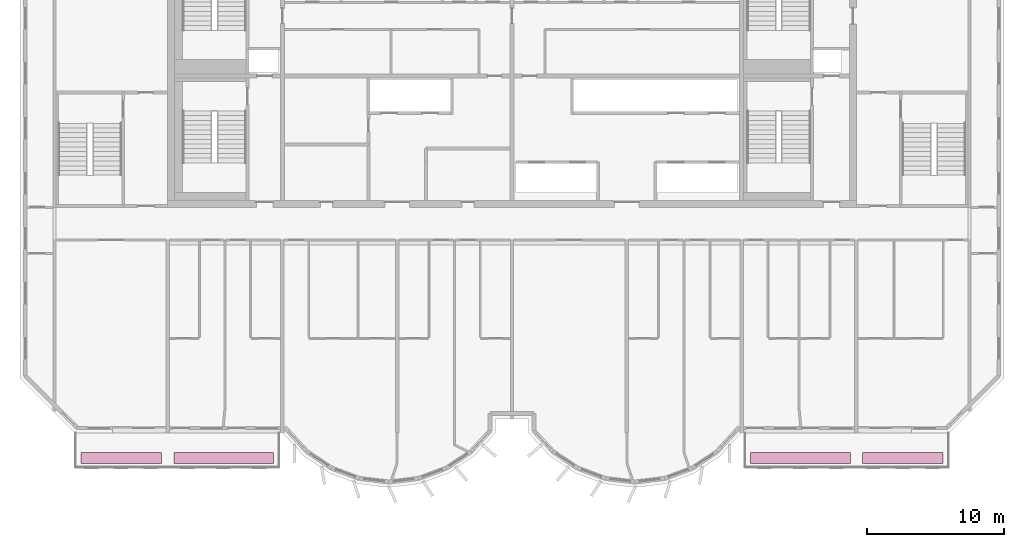
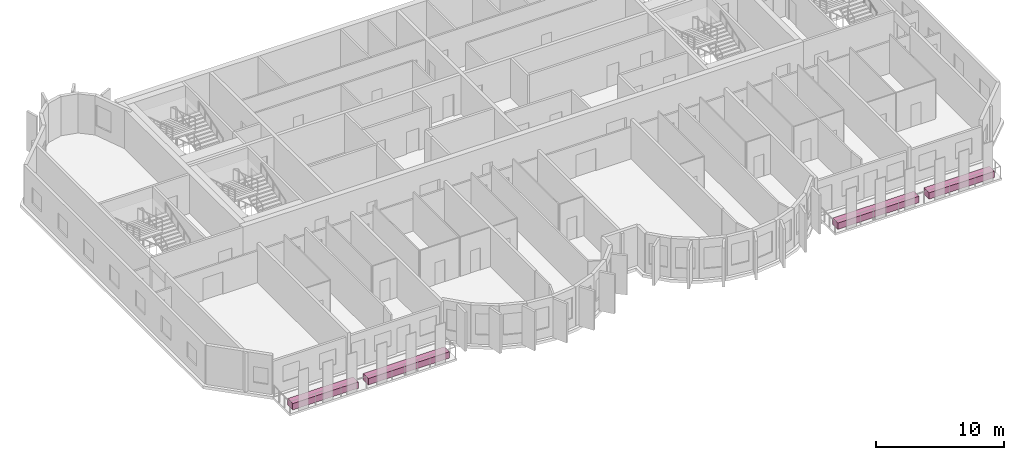
# One storey, part 12 of 12: 4 furniture elements.
"""IFC4 building model written with IfcOpenShell, lengths in metres."""

from ifc_helpers import new_model, si_unit, direction, frame, origin, origin_2d, place, context, subcontext, project, spatial, rectangle, extrude, source, transform, mapped, material, type_object, element, save


model = new_model("IFC4")

# Units and contexts
model_context = context("Model", 3, precision=1e-05, world=origin(), true_north=direction((0.0, 1.0)))
body_context = subcontext(model_context, "Body", "Model", "MODEL_VIEW")
ifc_project = project(units=[si_unit("LENGTHUNIT", "METRE"), si_unit("AREAUNIT", "SQUARE_METRE"), si_unit("VOLUMEUNIT", "CUBIC_METRE"), si_unit("PLANEANGLEUNIT", "RADIAN"), si_unit("MASSUNIT", "GRAM", prefix="KILO")], contexts=[model_context])

# Site, building, storey
site_placement = place(None, origin())
site = spatial("IfcSite", under=ifc_project, at=site_placement, CompositionType="ELEMENT")
building_placement = place(site_placement, origin())
building = spatial("IfcBuilding", under=site, at=building_placement, Name="Vanashikhar Sky Hotel", CompositionType="ELEMENT")
storey_placement = place(building_placement, frame((0.0, 0.0, 301.699951171875)))
storey = spatial("IfcBuildingStorey", under=building, at=storey_placement, Name="L72", CompositionType="ELEMENT", Elevation=301.699951171875)

# Furniture
ifc_material = material(Name="Planting soil and shrubs")
furniture_type = type_object("IfcFurnitureType", Name="Planter trough", AssemblyPlace="NOTDEFINED", PredefinedType="USERDEFINED", material=ifc_material)
shared_shape_1 = source(origin(), body_context, "Body", "SweptSolid", [
    extrude(rectangle(XDim=7.300048828125, YDim=0.800048828125, at=origin_2d()), origin(), (0.0, 0.0, 1.0), 0.60009765625),
])
for number, where, z_axis, x_axis, name in (
    (1, (29.300048828125, 3.64990234375, -0.050048828125), (0.0, 0.0, 1.0), (1.0, 0.0, 0.0), "PLANTER with climbers"),
    (2, (71.5, 3.64990234375, -0.050048828125), (0.0, 0.0, 1.0), (1.0, 0.0, 0.0), "PLANTER with climbers"),
):
    element("IfcFurniture", number, at=place(storey_placement, frame(where, z_axis=z_axis, x_axis=x_axis)), inside=storey, type_object=furniture_type, Name=name, ObjectType="PLANTER", PredefinedType="USERDEFINED", context=body_context, shape_type="MappedRepresentation", body=[
        mapped(shared_shape_1, transform((0.0, 0.0, 0.0), scale=1.0)),
    ])
shared_shape_2 = source(origin(), body_context, "Body", "SweptSolid", [
    extrude(rectangle(XDim=5.89990234375, YDim=0.800048828125, at=origin_2d()), origin(), (0.0, 0.0, 1.0), 0.60009765625),
])
for number, where, z_axis, x_axis, name in (
    (3, (21.800048828125, 3.64990234375, -0.050048828125), (0.0, 0.0, 1.0), (1.0, 0.0, 0.0), "PLANTER with climbers"),
    (4, (79.0, 3.64990234375, -0.050048828125), (0.0, 0.0, 1.0), (1.0, 0.0, 0.0), "PLANTER with climbers"),
):
    element("IfcFurniture", number, at=place(storey_placement, frame(where, z_axis=z_axis, x_axis=x_axis)), inside=storey, type_object=furniture_type, Name=name, ObjectType="PLANTER", PredefinedType="USERDEFINED", context=body_context, shape_type="MappedRepresentation", body=[
        mapped(shared_shape_2, transform((0.0, 0.0, 0.0), scale=1.0)),
    ])

save(model, "model.ifc")
